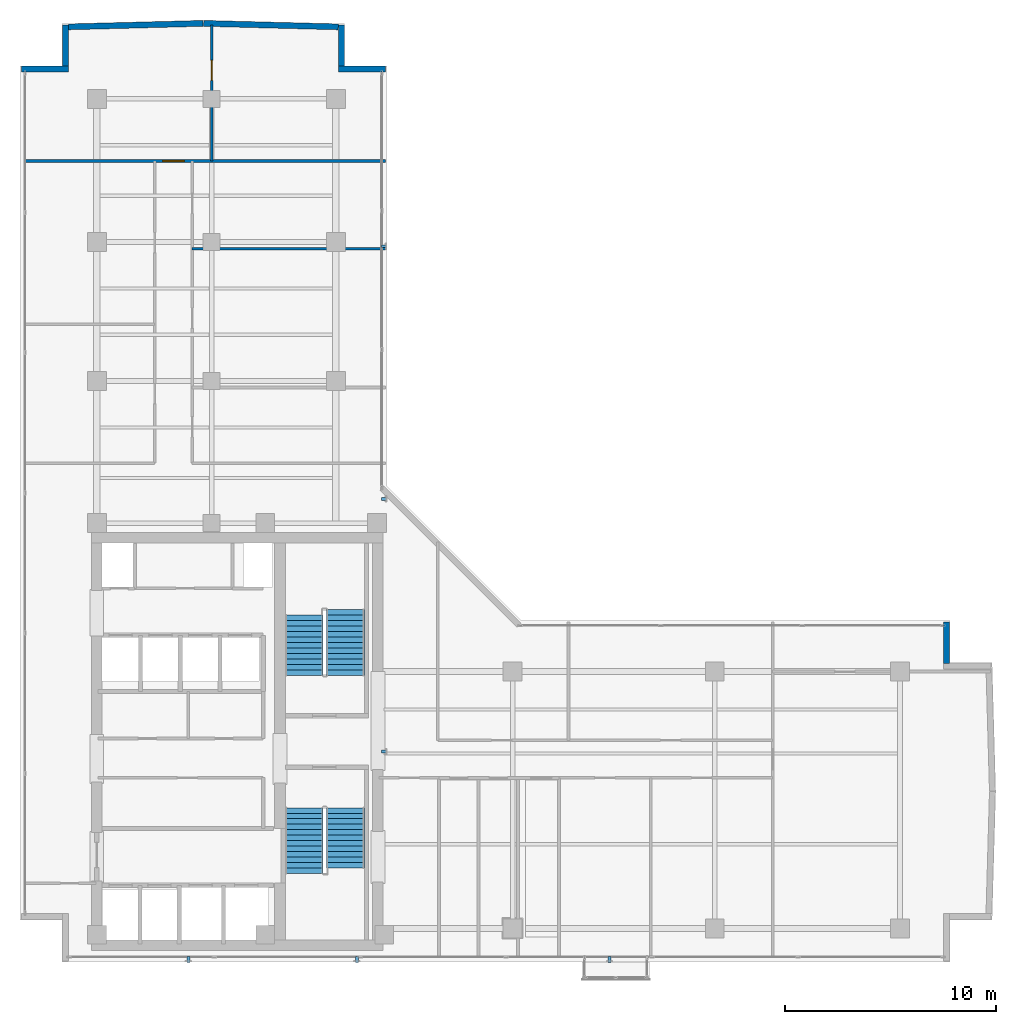
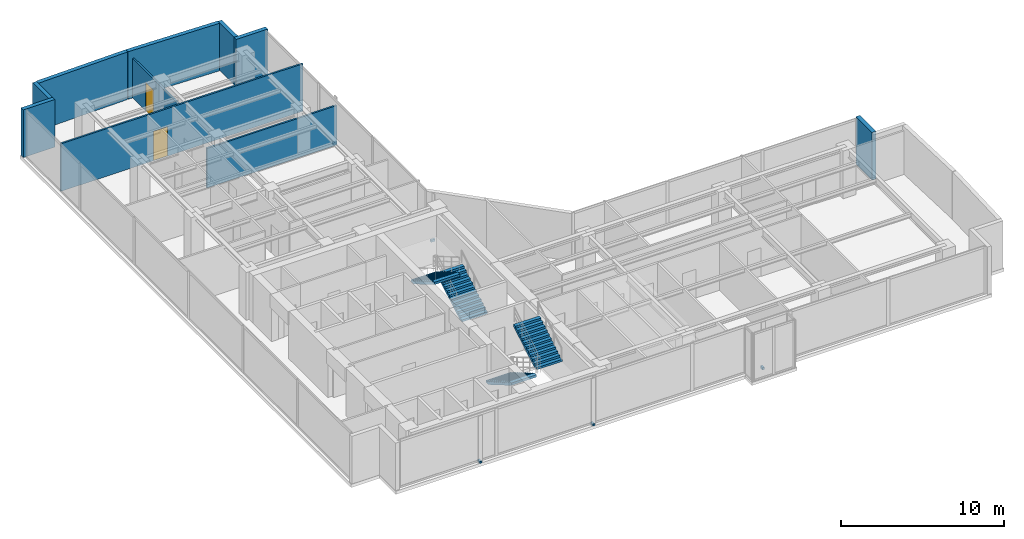
# One storey, part 19 of 22: 10 walls, 6 discrete accessories, 4 stair flights, 2 doors, 2 openings, 2 elements without a shape of their own.
"""IFC4 building model written with IfcOpenShell, lengths in metres."""

import ifcopenshell
import ifcopenshell.guid

model = None  # the IFC model being written
_history = None  # IfcOwnerHistory: only IFC2X3 demands one
_inside = {}  # id of a spatial element -> (the spatial element, [elements in it])
_under = {}  # id of a project, library or spatial element -> (it, [spatial elements below it])
_declared = {}  # id of a project -> (the project, [libraries it declares])
_typed = {}  # id of a type object -> (the type object, [elements of that type])
_made_of = {}  # id of a material, layer set ... -> (it, [elements and type objects made of it])


def new_model(schema):
    """Start an empty IFC model of exactly this schema.

    Asked for "IFC4X3", IfcOpenShell would pick the latest addendum, in which some entities
    have other attributes; the version numbers below select the first issue.
    IFC2X3 requires an IfcOwnerHistory on every rooted entity: one is made here for all.
    """
    global model, _history
    if schema == "IFC4X3":
        model = ifcopenshell.file(schema_version=(4, 3, 0, 0))
    else:
        model = ifcopenshell.file(schema=schema)
    _inside.clear()
    _under.clear()
    _declared.clear()
    _typed.clear()
    _made_of.clear()
    _history = None
    if model.schema == "IFC2X3":
        org = make("IfcOrganization", Name="unknown")
        user = make(
            "IfcPersonAndOrganization",
            ThePerson=make("IfcPerson", FamilyName="unknown"),
            TheOrganization=org,
        )
        app = make(
            "IfcApplication",
            ApplicationDeveloper=org,
            Version="unknown",
            ApplicationFullName="unknown",
            ApplicationIdentifier="unknown",
        )
        _history = make(
            "IfcOwnerHistory",
            OwningUser=user,
            OwningApplication=app,
            ChangeAction="ADDED",
            CreationDate=0,
        )
    return model


def make(cls, **values):
    """One entity of the class cls with the attributes given. An attribute that is None is left unset."""
    return model.create_entity(
        cls, **{name: value for name, value in values.items() if value is not None}
    )


def rooted(cls, **values):
    """An entity with a GlobalId (a new one), such as an element, a storey or a relation."""
    return make(cls, GlobalId=ifcopenshell.guid.new(), OwnerHistory=_history, **values)


def si_unit(unit_type, name, prefix=None):
    """IfcSIUnit, for example si_unit("LENGTHUNIT", "METRE", prefix="MILLI")."""
    return make("IfcSIUnit", UnitType=unit_type, Prefix=prefix, Name=name)


def assignment(units):
    """IfcUnitAssignment: the units of a project."""
    return None if units is None else make("IfcUnitAssignment", Units=units)


def point(xyz):
    """IfcCartesianPoint."""
    return None if xyz is None else make("IfcCartesianPoint", Coordinates=xyz)


def direction(xyz):
    """IfcDirection."""
    return None if xyz is None else make("IfcDirection", DirectionRatios=xyz)


def frame(location, z_axis=None, x_axis=None):
    """IfcAxis2Placement3D, a coordinate frame: its origin and axes. An axis left out is left unset."""
    return make(
        "IfcAxis2Placement3D",
        Location=point(location),
        Axis=direction(z_axis),
        RefDirection=direction(x_axis),
    )


def frame_2d(location, x_axis=None):
    """IfcAxis2Placement2D, a coordinate frame in the plane: its origin and x axis."""
    return make(
        "IfcAxis2Placement2D", Location=point(location), RefDirection=direction(x_axis)
    )


def origin():
    """The frame at (0, 0, 0) with its axes left unset."""
    return frame((0.0, 0.0, 0.0))


def origin_with_axes():
    """The frame at (0, 0, 0) with the z axis (0, 0, 1) and the x axis (1, 0, 0) written out."""
    return frame((0.0, 0.0, 0.0), z_axis=(0.0, 0.0, 1.0), x_axis=(1.0, 0.0, 0.0))


def origin_2d():
    """The frame at (0, 0) in the plane with its x axis left unset."""
    return frame_2d((0.0, 0.0))


def place(relative_to, where):
    """IfcLocalPlacement: puts the frame where relative to a parent placement (None: the world)."""
    return make(
        "IfcLocalPlacement", PlacementRelTo=relative_to, RelativePlacement=where
    )


def context(
    kind, dimensions, precision=None, world=None, true_north=None, identifier=None
):
    """IfcGeometricRepresentationContext, for example the 3D "Model" context."""
    return make(
        "IfcGeometricRepresentationContext",
        ContextIdentifier=identifier,
        ContextType=kind,
        CoordinateSpaceDimension=dimensions,
        Precision=precision,
        WorldCoordinateSystem=world,
        TrueNorth=true_north,
    )


def subcontext(parent, identifier, kind, view, scale=None):
    """IfcGeometricRepresentationSubContext, for example "Body" below "Model"."""
    return make(
        "IfcGeometricRepresentationSubContext",
        ContextIdentifier=identifier,
        ContextType=kind,
        ParentContext=parent,
        TargetScale=scale,
        TargetView=view,
    )


def project(units=None, contexts=None):
    """IfcProject with its units and contexts."""
    return rooted(
        "IfcProject",
        Name="project",
        RepresentationContexts=contexts,
        UnitsInContext=assignment(units),
    )


def spatial(cls, under=None, at=None, **own):
    """A site, building, storey or space (cls), placed at a placement, below another one or the project."""
    s = rooted(cls, ObjectPlacement=at, **own)
    if under is not None:
        _under.setdefault(under.id(), (under, []))[1].append(s)
    return s


def polyline(points):
    """IfcPolyline through the points."""
    return make("IfcPolyline", Points=[point(p) for p in points])


def profile(cls, at=None, kind="AREA", **sizes):
    """A parametric profile (cls). Its sizes go by their IFC names, for example OverallWidth=200.0."""
    return make(cls, ProfileType=kind, Position=at, **sizes)


def rectangle(**sizes):
    """IfcRectangleProfileDef."""
    return profile("IfcRectangleProfileDef", **sizes)


def outline(outer, holes=None, kind="AREA"):
    """IfcArbitraryClosedProfileDef: a profile drawn as a closed curve; with holes, ...WithVoids."""
    if holes is None:
        return make("IfcArbitraryClosedProfileDef", ProfileType=kind, OuterCurve=outer)
    return make(
        "IfcArbitraryProfileDefWithVoids",
        ProfileType=kind,
        OuterCurve=outer,
        InnerCurves=holes,
    )


def extrude(swept, where, along, depth):
    """IfcExtrudedAreaSolid: the profile swept, set in the frame where, extruded along a direction by depth."""
    return make(
        "IfcExtrudedAreaSolid",
        SweptArea=swept,
        Position=where,
        ExtrudedDirection=direction(along),
        Depth=depth,
    )


def shape(context_of_items, identifier, shape_type, items):
    """IfcShapeRepresentation: the items that make up one representation, for example the "Body"."""
    return make(
        "IfcShapeRepresentation",
        ContextOfItems=context_of_items,
        RepresentationIdentifier=identifier,
        RepresentationType=shape_type,
        Items=items,
    )


def source(mapping_origin, context_of_items, identifier, shape_type, items):
    """IfcRepresentationMap: a shape defined once, which mapped items show again and again."""
    return make(
        "IfcRepresentationMap",
        MappingOrigin=mapping_origin,
        MappedRepresentation=shape(context_of_items, identifier, shape_type, items),
    )


def transform(
    local_origin,
    x_axis=None,
    y_axis=None,
    z_axis=None,
    scale=None,
    scale2=None,
    scale3=None,
    uniform=True,
):
    """IfcCartesianTransformationOperator3D, or its non-uniform kind. x_axis, y_axis, z_axis: its Axis1, 2, 3."""
    if uniform:
        return make(
            "IfcCartesianTransformationOperator3D",
            Axis1=direction(x_axis),
            Axis2=direction(y_axis),
            LocalOrigin=point(local_origin),
            Scale=scale,
            Axis3=direction(z_axis),
        )
    return make(
        "IfcCartesianTransformationOperator3DnonUniform",
        Axis1=direction(x_axis),
        Axis2=direction(y_axis),
        LocalOrigin=point(local_origin),
        Scale=scale,
        Axis3=direction(z_axis),
        Scale2=scale2,
        Scale3=scale3,
    )


def mapped(mapping_source, mapping_target):
    """IfcMappedItem: shows the shape of a source again, moved by a transform."""
    return make(
        "IfcMappedItem", MappingSource=mapping_source, MappingTarget=mapping_target
    )


def material(Name=None, Category=None):
    """IfcMaterial."""
    return make("IfcMaterial", Name=Name, Category=Category)


def layer(
    of_material, thickness, ventilated=None, Name=None, Category=None, Priority=None
):
    """IfcMaterialLayer: one layer of a wall or slab, of a material (None: an air gap)."""
    return make(
        "IfcMaterialLayer",
        Material=of_material,
        LayerThickness=thickness,
        IsVentilated=ventilated,
        Name=Name,
        Category=Category,
        Priority=Priority,
    )


def layer_set(layers, Name=None):
    """IfcMaterialLayerSet."""
    return make("IfcMaterialLayerSet", MaterialLayers=layers, LayerSetName=Name)


def made_of(thing, what):
    """Note that an element or type object is made of a material, layer set ...; save() writes the relation."""
    if what is not None:
        _made_of.setdefault(what.id(), (what, []))[1].append(thing)
    return thing


def type_object(cls, material=None, **own):
    """A type object (cls), such as IfcWallType, which elements share."""
    return made_of(rooted(cls, **own), material)


def element(
    cls,
    number,
    at=None,
    inside=None,
    cuts=None,
    type_object=None,
    material=None,
    context=None,
    identifier="Body",
    shape_type=None,
    held_by="IfcProductDefinitionShape",
    body=None,
    shapes=None,
    **own,
):
    """One element of the class cls, such as IfcWall. Its Tag is "e" and its number.

    at: its placement. inside: the storey or other place that contains it. cuts: it is an
    opening in that element (IfcRelVoidsElement). A single representation is given by context,
    identifier, shape_type and body (its items); several are given by shapes. held_by: the class
    of the entity that holds the representations. save() writes the other relations.
    """
    e = rooted(cls, Tag="e%d" % number, ObjectPlacement=at, **own)
    if body is not None:
        shapes = [shape(context, identifier, shape_type, body)]
    if shapes is not None:
        e.Representation = make(held_by, Representations=shapes)
    if inside is not None:
        _inside.setdefault(inside.id(), (inside, []))[1].append(e)
    if cuts is not None:
        rooted(
            "IfcRelVoidsElement", RelatingBuildingElement=cuts, RelatedOpeningElement=e
        )
    if type_object is not None:
        _typed.setdefault(type_object.id(), (type_object, []))[1].append(e)
    return made_of(e, material)


def fill(opening, filler):
    """IfcRelFillsElement: the door or window that sits in an opening."""
    return rooted(
        "IfcRelFillsElement",
        RelatingOpeningElement=opening,
        RelatedBuildingElement=filler,
    )


def aggregate(whole, parts):
    """IfcRelAggregates: a whole, such as a stair, and the parts it consists of."""
    return rooted("IfcRelAggregates", RelatingObject=whole, RelatedObjects=parts)


def save(model, path):
    """Write the relations noted so far, then the file.

    IfcRelAggregates (storeys below a building ...), IfcRelContainedInSpatialStructure (elements
    in a storey), IfcRelDefinesByType, IfcRelAssociatesMaterial and IfcRelDeclares: one each for
    every whole, place, type object, material and project.
    """
    for whole, parts in _under.values():
        aggregate(whole, parts)
    for where, things in _inside.values():
        rooted(
            "IfcRelContainedInSpatialStructure",
            RelatedElements=things,
            RelatingStructure=where,
        )
    for kind, things in _typed.values():
        rooted("IfcRelDefinesByType", RelatedObjects=things, RelatingType=kind)
    for what, things in _made_of.values():
        rooted("IfcRelAssociatesMaterial", RelatedObjects=things, RelatingMaterial=what)
    for by, libraries in _declared.values():
        rooted("IfcRelDeclares", RelatingContext=by, RelatedDefinitions=libraries)
    model.write(path)


model = new_model("IFC4")

# Units and contexts
model_context = context("Model", 3, precision=1e-05, world=origin(), true_north=direction((0.0, 1.0)))
body_context = subcontext(model_context, "Body", "Model", "MODEL_VIEW")
ifc_project = project(units=[si_unit("LENGTHUNIT", "METRE"), si_unit("AREAUNIT", "SQUARE_METRE"), si_unit("VOLUMEUNIT", "CUBIC_METRE"), si_unit("PLANEANGLEUNIT", "RADIAN"), si_unit("MASSUNIT", "GRAM", prefix="KILO")], contexts=[model_context])

# Site, building, storey
site_placement = place(None, origin())
site = spatial("IfcSite", under=ifc_project, at=site_placement, CompositionType="ELEMENT")
building_placement = place(site_placement, origin())
building = spatial("IfcBuilding", under=site, at=building_placement, Name="Kolvaren Waterfront Exchange", CompositionType="ELEMENT")
storey_placement = place(building_placement, frame((0.0, 0.0, 327.39990234375)))
storey = spatial("IfcBuildingStorey", under=building, at=storey_placement, Name="L84", CompositionType="ELEMENT", Elevation=327.39990234375)

# Walls
ifc_material_1 = material(Name="Precast concrete C40/50", Category="concrete")
ifc_layer_1 = layer(ifc_material_1, 0.280029296875, Name="Precast concrete C40/50")
ifc_layer_set_1 = layer_set([ifc_layer_1], Name="Precast concrete C40/50")
wall_type_1 = type_object("IfcWallType", Name="ARC-EXT-TERR-280", PredefinedType="SOLIDWALL", material=ifc_layer_set_1)
wall_1_placement = place(storey_placement, frame((47.813720703125, 17.7861328125, 0.0), z_axis=(0.0, 0.0, 1.0), x_axis=(0.0, 1.0, 0.0)))
element("IfcWall", 1, at=wall_1_placement, inside=storey, type_object=wall_type_1, Name="L84 notched corner spandrel pier ENE-A", PredefinedType="SOLIDWALL", context=body_context, shape_type="SweptSolid", body=[
    extrude(rectangle(XDim=1.974853515625, YDim=0.280029296875, at=frame_2d((0.9873046875, 0.0))), origin(), (0.0, 0.0, 1.0), 3.56005859375),
])
wall_2_placement = place(storey_placement, frame((18.921142578125, 46.013671875, 0.0), z_axis=(0.0, 0.0, 1.0), x_axis=(1.0, 0.0, 0.0)))
element("IfcWall", 2, at=wall_2_placement, inside=storey, type_object=wall_type_1, Name="L84 notched corner spandrel pier NNE-A", PredefinedType="SOLIDWALL", context=body_context, shape_type="SweptSolid", body=[
    extrude(rectangle(XDim=2.239990234375, YDim=0.280029296875, at=frame_2d((1.1201171875, 0.0))), origin(), (0.0, 0.0, 1.0), 3.56005859375),
])
wall_3_placement = place(storey_placement, frame((19.06103515625, 46.15380859375, 0.0), z_axis=(0.0, 0.0, 1.0), x_axis=(0.0, 1.0, 0.0)))
element("IfcWall", 3, at=wall_3_placement, inside=storey, type_object=wall_type_1, Name="L84 notched corner spandrel pier NNE-B", PredefinedType="SOLIDWALL", context=body_context, shape_type="SweptSolid", body=[
    extrude(rectangle(XDim=1.9599609375, YDim=0.280029296875, at=frame_2d((0.97998046875, 0.0))), origin(), (0.0, 0.0, 1.0), 3.56005859375),
])
wall_4_placement = place(storey_placement, frame((3.860107421875, 46.013671875, 0.0), z_axis=(0.0, 0.0, 1.0), x_axis=(1.0, 0.0, 0.0)))
element("IfcWall", 4, at=wall_4_placement, inside=storey, type_object=wall_type_1, Name="L84 notched corner spandrel pier NW-A", PredefinedType="SOLIDWALL", context=body_context, shape_type="SweptSolid", body=[
    extrude(rectangle(XDim=2.239990234375, YDim=0.280029296875, at=frame_2d((1.1201171875, 0.0))), origin(), (0.0, 0.0, 1.0), 3.56005859375),
])
wall_5_placement = place(storey_placement, frame((5.9599609375, 46.15380859375, 0.0), z_axis=(0.0, 0.0, 1.0), x_axis=(0.0, 1.0, 0.0)))
element("IfcWall", 5, at=wall_5_placement, inside=storey, type_object=wall_type_1, Name="L84 notched corner spandrel pier NW-B", PredefinedType="SOLIDWALL", context=body_context, shape_type="SweptSolid", body=[
    extrude(rectangle(XDim=1.9599609375, YDim=0.280029296875, at=frame_2d((0.97998046875, 0.0))), origin(), (0.0, 0.0, 1.0), 3.56005859375),
])
for number, where, z_axis, x_axis, name in (
    (6, (18.9169921875, 48.021484375, 0.0), (0.0, 0.0, 1.0), (-0.999664722529, 0.025892905023, 0.0), "L84 north prow faceted facade wall 1"),
    (7, (12.49462890625, 48.18701171875, 0.0), (0.0, 0.0, 1.0), (-0.999664722529, -0.025892905023, 0.0), "L84 north prow faceted facade wall 2"),
):
    element("IfcWall", number, at=place(storey_placement, frame(where, z_axis=z_axis, x_axis=x_axis)), inside=storey, type_object=wall_type_1, Name=name, PredefinedType="SOLIDWALL", context=body_context, shape_type="SweptSolid", body=[
        extrude(rectangle(XDim=6.392822265625, YDim=0.280029296875, at=frame_2d((3.1962890625, 0.0))), origin(), (0.0, 0.0, 1.0), 3.56005859375),
    ])

# Wall, opening, door
ifc_material_2 = material(Name="Acoustic gypsum steel stud", Category="steel")
ifc_layer_2 = layer(ifc_material_2, 0.125, Name="Acoustic gypsum steel stud")
ifc_layer_set_2 = layer_set([ifc_layer_2], Name="Acoustic gypsum steel stud")
wall_type_2 = type_object("IfcWallType", Name="ARC-PART-125", PredefinedType="PARTITIONING", material=ifc_layer_set_2)
wall_6_placement = place(storey_placement, frame((4.0400390625, 41.64990234375, 0.0), z_axis=(0.0, 0.0, 1.0), x_axis=(1.0, 0.0, 0.0)))
wall_6 = element("IfcWall", 8, at=wall_6_placement, inside=storey, type_object=wall_type_2, Name="L84 interior wall PW-L84-NTIP-S", PredefinedType="PARTITIONING", context=body_context, shape_type="SweptSolid", body=[
    extrude(rectangle(XDim=17.119873046875, YDim=0.125, at=frame_2d((8.56005859375, 0.0))), origin(), (0.0, 0.0, 1.0), 3.56005859375),
])
opening_1_placement = place(wall_6_placement, frame((6.550048828125, 0.0, 0.0)))
opening_1 = element("IfcOpeningElement", 9, at=opening_1_placement, cuts=wall_6, Name="Opening D03", PredefinedType="OPENING", context=body_context, shape_type="SweptSolid", body=[
    extrude(rectangle(XDim=1.0, YDim=2.199951171875, at=frame_2d((0.5, 1.10009765625))), frame((0.0, 0.072509765625, 0.0), z_axis=(0.0, -1.0, 0.0), x_axis=(1.0, 0.0, 0.0)), (0.0, 0.0, 1.0), 0.14501953125),
])
ifc_material_3 = material(Name="Oak veneer accessible timber", Category="wood")
door_type_1 = type_object("IfcDoorType", Name="ARC-DR-1000", OperationType="NOTDEFINED", PredefinedType="DOOR", material=ifc_material_3)
door_1_placement = place(opening_1_placement, origin())
door_1 = element("IfcDoor", 10, at=door_1_placement, inside=storey, type_object=door_type_1, Name="L84 door DR-L84-NTIPW-D (D03)", OperationType="SINGLE_SWING_LEFT", OverallHeight=2.199951171875, OverallWidth=1.0, PredefinedType="DOOR", context=body_context, shape_type="SweptSolid", body=[
    extrude(rectangle(XDim=1.0, YDim=2.199951171875, at=frame_2d((0.5, 1.10009765625))), frame((0.0, 0.02490234375, 0.0), z_axis=(0.0, -1.0, 0.0), x_axis=(1.0, 0.0, 0.0)), (0.0, 0.0, 1.0), 0.050048828125),
])
fill(opening_1, door_1)

wall_7_placement = place(storey_placement, frame((12.89990234375, 41.64990234375, 0.0), z_axis=(0.0, 0.0, 1.0), x_axis=(0.0, 1.0, 0.0)))
wall_7 = element("IfcWall", 11, at=wall_7_placement, inside=storey, type_object=wall_type_2, Name="L84 interior wall PW-L84-NTIP-DIV", PredefinedType="PARTITIONING", context=body_context, shape_type="SweptSolid", body=[
    extrude(rectangle(XDim=6.45751953125, YDim=0.125, at=frame_2d((3.228759765625, 0.0))), origin(), (0.0, 0.0, 1.0), 2.960205078125),
])
opening_2_placement = place(wall_7_placement, frame((3.834228515625, 0.0, 0.0)))
opening_2 = element("IfcOpeningElement", 12, at=opening_2_placement, cuts=wall_7, Name="Opening D02", PredefinedType="OPENING", context=body_context, shape_type="SweptSolid", body=[
    extrude(rectangle(XDim=0.949951171875, YDim=2.14990234375, at=frame_2d((0.47509765625, 1.074951171875))), frame((0.0, 0.072509765625, 0.0), z_axis=(0.0, -1.0, 0.0), x_axis=(1.0, 0.0, 0.0)), (0.0, 0.0, 1.0), 0.14501953125),
])
ifc_material_4 = material(Name="Oak veneer acoustic timber", Category="wood")
door_type_2 = type_object("IfcDoorType", Name="ARC-DR-950", OperationType="NOTDEFINED", PredefinedType="DOOR", material=ifc_material_4)
door_2_placement = place(opening_2_placement, origin())
door_2 = element("IfcDoor", 13, at=door_2_placement, inside=storey, type_object=door_type_2, Name="L84 door DR-L84-NTIPE-D (D02)", OperationType="SINGLE_SWING_RIGHT", OverallHeight=2.14990234375, OverallWidth=0.949951171875, PredefinedType="DOOR", context=body_context, shape_type="SweptSolid", body=[
    extrude(rectangle(XDim=0.949951171875, YDim=2.14990234375, at=frame_2d((0.47509765625, 1.074951171875))), frame((0.0, 0.02490234375, 0.0), z_axis=(0.0, -1.0, 0.0), x_axis=(1.0, 0.0, 0.0)), (0.0, 0.0, 1.0), 0.050048828125),
])
fill(opening_2, door_2)

# Wall
wall_8_placement = place(storey_placement, frame((11.97998046875, 37.489990234375, 0.0), z_axis=(0.0, 0.0, 1.0), x_axis=(1.0, 0.0, 0.0)))
element("IfcWall", 14, at=wall_8_placement, inside=storey, type_object=wall_type_2, Name="L84 interior wall PW-L84-NE-DIV-2", PredefinedType="PARTITIONING", context=body_context, shape_type="SweptSolid", body=[
    extrude(rectangle(XDim=9.179931640625, YDim=0.125, at=frame_2d((4.58984375, 0.0))), origin(), (0.0, 0.0, 1.0), 2.960205078125),
])

# Stair, stair flights
ifc_material_5 = material(Name="Concrete C40/50", Category="concrete")
stair_type = type_object("IfcStairType", Name="ARC-STAIR-3800", PredefinedType="HALF_TURN_STAIR", material=ifc_material_5)
stair_1_placement = place(storey_placement, origin())
stair_1 = element("IfcStair", 15, at=stair_1_placement, inside=storey, type_object=stair_type, Name="L84 Smoke-proof exit stair ST1", PredefinedType="HALF_TURN_STAIR")
stair_flight_type = type_object("IfcStairFlightType", Name="ARC-FLIGHT-3800", PredefinedType="STRAIGHT", material=ifc_material_5)
stair_flight_1_placement = place(storey_placement, frame((17.300048828125, 10.929931640625, 0.0), z_axis=(0.0, 0.0, 1.0), x_axis=(0.0, -1.0, 0.0)))
stair_flight_1 = element("IfcStairFlight", 16, at=stair_flight_1_placement, type_object=stair_flight_type, Name="ST1 flight 1", NumberOfRisers=13, NumberOfTreads=12, PredefinedType="STRAIGHT", RiserHeight=0.152, TreadLength=0.26, context=body_context, shape_type="SweptSolid", body=[
    extrude(outline(polyline([(0.0, 0.0), (0.0, 0.152099609375), (0.260009765625, 0.152099609375), (0.260009765625, 0.303955078125), (0.52001953125, 0.303955078125), (0.52001953125, 0.4560546875), (0.780029296875, 0.4560546875), (0.780029296875, 0.60791015625), (1.0400390625, 0.60791015625), (1.0400390625, 0.760009765625), (1.300048828125, 0.760009765625), (1.300048828125, 0.912109375), (1.56005859375, 0.912109375), (1.56005859375, 1.06396484375), (1.820068359375, 1.06396484375), (1.820068359375, 1.216064453125), (2.080078125, 1.216064453125), (2.080078125, 1.367919921875), (2.340087890625, 1.367919921875), (2.340087890625, 1.52001953125), (2.60009765625, 1.52001953125), (2.60009765625, 1.672119140625), (2.860107421875, 1.672119140625), (2.860107421875, 1.823974609375), (3.1201171875, 1.823974609375), (3.1201171875, 1.97607421875), (3.1201171875, 1.650390625), (0.297119140625, 0.0), (0.0, 0.0)])), frame((0.0, 0.89990234375, 0.0), z_axis=(0.0, -1.0, 0.0), x_axis=(1.0, 0.0, 0.0)), (0.0, 0.0, 1.0), 1.800048828125),
])
stair_flight_2_placement = place(storey_placement, frame((19.260009765625, 8.070068359375, 1.97607421875), z_axis=(0.0, 0.0, 1.0), x_axis=(0.0, 1.0, 0.0)))
stair_flight_2 = element("IfcStairFlight", 17, at=stair_flight_2_placement, type_object=stair_flight_type, Name="ST1 flight 2", NumberOfRisers=12, NumberOfTreads=11, PredefinedType="STRAIGHT", RiserHeight=0.152, TreadLength=0.26, context=body_context, shape_type="SweptSolid", body=[
    extrude(outline(polyline([(0.0, 0.0), (0.0, 0.152099609375), (0.260009765625, 0.152099609375), (0.260009765625, 0.303955078125), (0.52001953125, 0.303955078125), (0.52001953125, 0.4560546875), (0.780029296875, 0.4560546875), (0.780029296875, 0.60791015625), (1.0400390625, 0.60791015625), (1.0400390625, 0.760009765625), (1.300048828125, 0.760009765625), (1.300048828125, 0.912109375), (1.56005859375, 0.912109375), (1.56005859375, 1.06396484375), (1.820068359375, 1.06396484375), (1.820068359375, 1.216064453125), (2.080078125, 1.216064453125), (2.080078125, 1.367919921875), (2.340087890625, 1.367919921875), (2.340087890625, 1.52001953125), (2.60009765625, 1.52001953125), (2.60009765625, 1.672119140625), (2.860107421875, 1.672119140625), (2.860107421875, 1.823974609375), (2.860107421875, 1.498291015625), (0.297119140625, 0.0), (0.0, 0.0)])), frame((0.0, 0.89990234375, 0.0), z_axis=(0.0, -1.0, 0.0), x_axis=(1.0, 0.0, 0.0)), (0.0, 0.0, 1.0), 1.800048828125),
])
aggregate(stair_1, [stair_flight_1, stair_flight_2])

stair_2_placement = place(storey_placement, origin())
stair_2 = element("IfcStair", 18, at=stair_2_placement, inside=storey, type_object=stair_type, Name="L84 Smoke-proof exit stair ST2", PredefinedType="HALF_TURN_STAIR")
stair_flight_3_placement = place(storey_placement, frame((19.260009765625, 17.219970703125, 0.0), z_axis=(0.0, 0.0, 1.0), x_axis=(0.0, 1.0, 0.0)))
stair_flight_3 = element("IfcStairFlight", 19, at=stair_flight_3_placement, type_object=stair_flight_type, Name="ST2 flight 1", NumberOfRisers=13, NumberOfTreads=12, PredefinedType="STRAIGHT", RiserHeight=0.152, TreadLength=0.26, context=body_context, shape_type="SweptSolid", body=[
    extrude(outline(polyline([(0.0, 0.0), (0.0, 0.152099609375), (0.260009765625, 0.152099609375), (0.260009765625, 0.303955078125), (0.52001953125, 0.303955078125), (0.52001953125, 0.4560546875), (0.780029296875, 0.4560546875), (0.780029296875, 0.60791015625), (1.0400390625, 0.60791015625), (1.0400390625, 0.760009765625), (1.300048828125, 0.760009765625), (1.300048828125, 0.912109375), (1.56005859375, 0.912109375), (1.56005859375, 1.06396484375), (1.820068359375, 1.06396484375), (1.820068359375, 1.216064453125), (2.080078125, 1.216064453125), (2.080078125, 1.367919921875), (2.340087890625, 1.367919921875), (2.340087890625, 1.52001953125), (2.60009765625, 1.52001953125), (2.60009765625, 1.672119140625), (2.860107421875, 1.672119140625), (2.860107421875, 1.823974609375), (3.1201171875, 1.823974609375), (3.1201171875, 1.97607421875), (3.1201171875, 1.650390625), (0.297119140625, 0.0), (0.0, 0.0)])), frame((0.0, 0.89990234375, 0.0), z_axis=(0.0, -1.0, 0.0), x_axis=(1.0, 0.0, 0.0)), (0.0, 0.0, 1.0), 1.800048828125),
])
stair_flight_4_placement = place(storey_placement, frame((17.300048828125, 20.080078125, 1.97607421875), z_axis=(0.0, 0.0, 1.0), x_axis=(0.0, -1.0, 0.0)))
stair_flight_4 = element("IfcStairFlight", 20, at=stair_flight_4_placement, type_object=stair_flight_type, Name="ST2 flight 2", NumberOfRisers=12, NumberOfTreads=11, PredefinedType="STRAIGHT", RiserHeight=0.152, TreadLength=0.26, context=body_context, shape_type="SweptSolid", body=[
    extrude(outline(polyline([(0.0, 0.0), (0.0, 0.152099609375), (0.260009765625, 0.152099609375), (0.260009765625, 0.303955078125), (0.52001953125, 0.303955078125), (0.52001953125, 0.4560546875), (0.780029296875, 0.4560546875), (0.780029296875, 0.60791015625), (1.0400390625, 0.60791015625), (1.0400390625, 0.760009765625), (1.300048828125, 0.760009765625), (1.300048828125, 0.912109375), (1.56005859375, 0.912109375), (1.56005859375, 1.06396484375), (1.820068359375, 1.06396484375), (1.820068359375, 1.216064453125), (2.080078125, 1.216064453125), (2.080078125, 1.367919921875), (2.340087890625, 1.367919921875), (2.340087890625, 1.52001953125), (2.60009765625, 1.52001953125), (2.60009765625, 1.672119140625), (2.860107421875, 1.672119140625), (2.860107421875, 1.823974609375), (2.860107421875, 1.498291015625), (0.297119140625, 0.0), (0.0, 0.0)])), frame((0.0, 0.89990234375, 0.0), z_axis=(0.0, -1.0, 0.0), x_axis=(1.0, 0.0, 0.0)), (0.0, 0.0, 1.0), 1.800048828125),
])
aggregate(stair_2, [stair_flight_3, stair_flight_4])

# Discrete accessories
ifc_material_6 = material(Name="Stainless steel 316", Category="steel")
discrete_accessory_type = type_object("IfcDiscreteAccessoryType", Name="ARC-BRK-FIN", PredefinedType="BRACKET", material=ifc_material_6)
shared_shape = source(origin_with_axes(), body_context, "Body", "SweptSolid", [
    extrude(rectangle(XDim=0.280029296875, YDim=0.139892578125, at=origin_2d()), origin(), (0.0, 0.0, 1.0), 0.159912109375),
])
for number, where, z_axis, x_axis, name in (
    (21, (11.800048828125, 3.719970703125, 0.0), (0.0, 0.0, 1.0), (0.0, -1.0, 0.0), "L84 bronze fin anchor bracket FIN-L84-S1"),
    (22, (19.800048828125, 3.719970703125, 0.0), (0.0, 0.0, 1.0), (0.0, -1.0, 0.0), "L84 bronze fin anchor bracket FIN-L84-S2"),
    (23, (31.800048828125, 3.719970703125, 0.0), (0.0, 0.0, 1.0), (0.0, -1.0, 0.0), "L84 bronze fin anchor bracket FIN-L84-S3"),
    (24, (21.10107421875, 13.60009765625, 0.0), (0.0, 0.0, 1.0), (1.0, 0.0, 0.0), "L84 bronze fin anchor bracket FIN-L84-E1"),
    (25, (21.10107421875, 25.60009765625, 0.0), (0.0, 0.0, 1.0), (1.0, 0.0, 0.0), "L84 bronze fin anchor bracket FIN-L84-E2"),
    (26, (21.10107421875, 37.60009765625, 0.0), (0.0, 0.0, 1.0), (1.0, 0.0, 0.0), "L84 bronze fin anchor bracket FIN-L84-E3"),
):
    element("IfcDiscreteAccessory", number, at=place(storey_placement, frame(where, z_axis=z_axis, x_axis=x_axis)), inside=storey, type_object=discrete_accessory_type, Name=name, PredefinedType="BRACKET", context=body_context, shape_type="MappedRepresentation", body=[
        mapped(shared_shape, transform((0.0, 0.0, 0.0), x_axis=(1.0, 0.0, 0.0), y_axis=(0.0, 1.0, 0.0), z_axis=(0.0, 0.0, 1.0), scale=1.0)),
    ])

save(model, "model.ifc")
